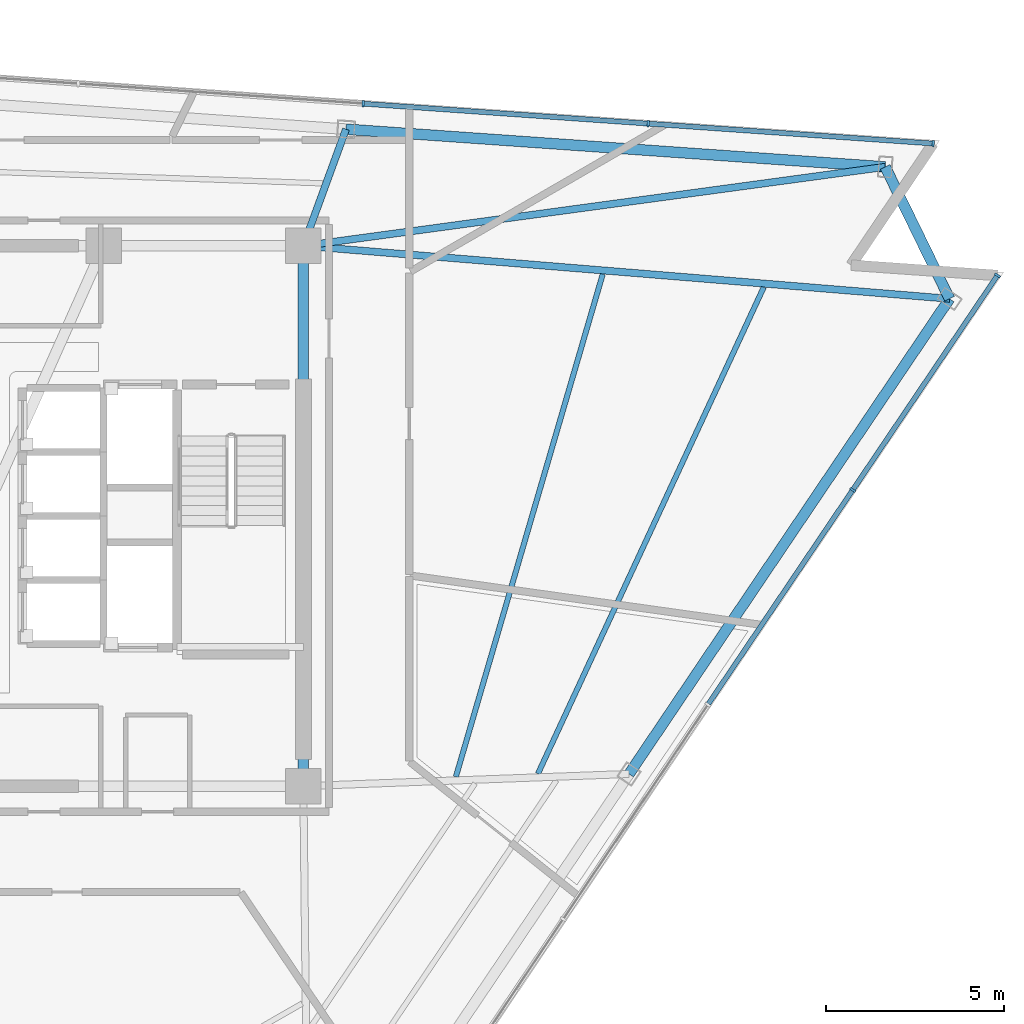
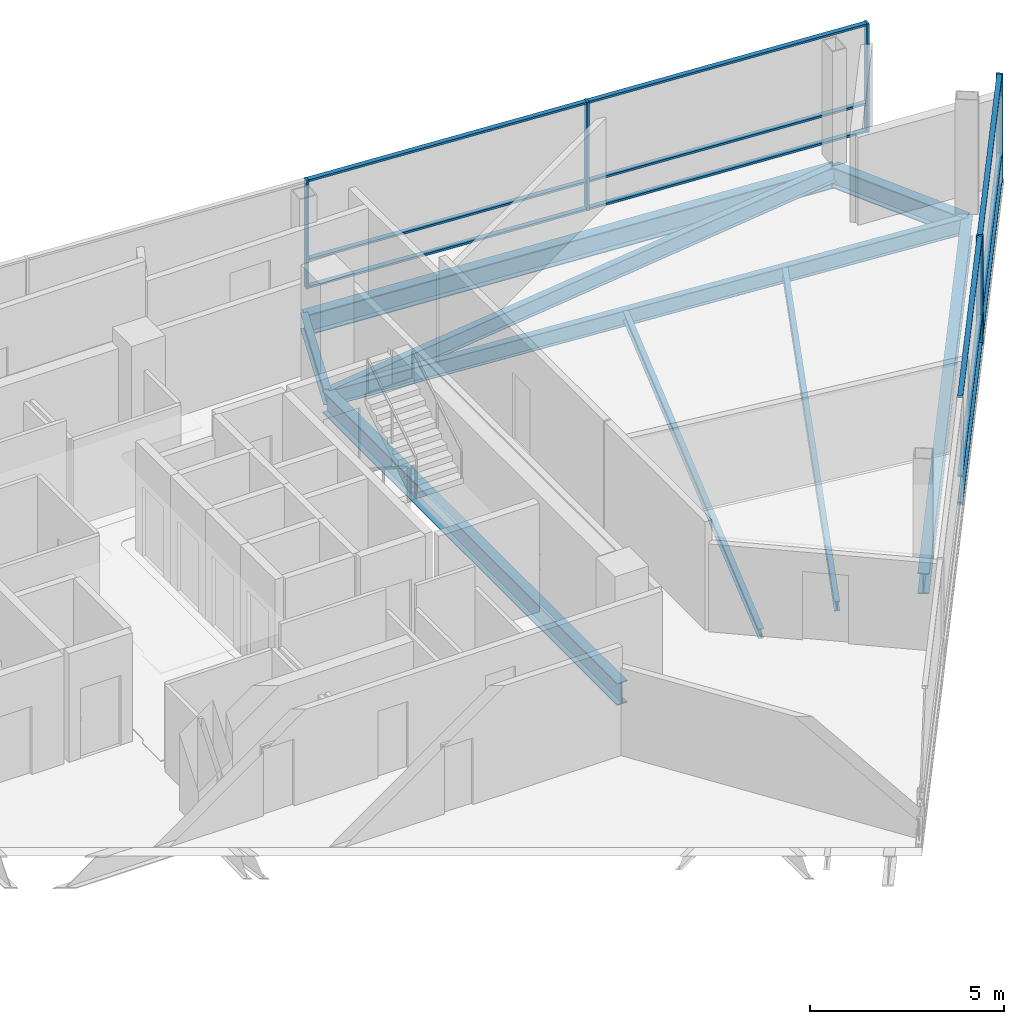
# One storey, part 7 of 13: 17 members, 9 beams, 2 elements without a shape of their own.
"""IFC4 building model written with IfcOpenShell, lengths in metres."""

from ifc_helpers import new_model, si_unit, direction, frame, origin, origin_2d, place, context, subcontext, project, spatial, rectangle, i_section, extrude, material, layer, layer_set, material_profile, profile_set, type_object, element, aggregate, save


model = new_model("IFC4")

# Units and contexts
model_context = context("Model", 3, precision=1e-05, world=origin(), true_north=direction((0.0, 1.0)))
body_context = subcontext(model_context, "Body", "Model", "MODEL_VIEW")
ifc_project = project(units=[si_unit("LENGTHUNIT", "METRE"), si_unit("AREAUNIT", "SQUARE_METRE"), si_unit("VOLUMEUNIT", "CUBIC_METRE"), si_unit("PLANEANGLEUNIT", "RADIAN"), si_unit("MASSUNIT", "GRAM", prefix="KILO")], contexts=[model_context])

# Site, building, storey
site_placement = place(None, origin())
site = spatial("IfcSite", under=ifc_project, at=site_placement, CompositionType="ELEMENT")
building_placement = place(site_placement, origin())
building = spatial("IfcBuilding", under=site, at=building_placement, Name="Tharavind Bronze Gate", CompositionType="ELEMENT")
storey_placement = place(building_placement, frame((0.0, 0.0, 234.25)))
storey = spatial("IfcBuildingStorey", under=building, at=storey_placement, Name="L60", CompositionType="ELEMENT", Elevation=234.25)

# Curtain wall, members
ifc_material_1 = material(Name="Anodised Bronze Aluminium", Category="aluminium")
ifc_layer = layer(ifc_material_1, 0.219970703125)
ifc_layer_set = layer_set([ifc_layer], Name="Anodised Bronze Aluminium")
curtain_wall_type = type_object("IfcCurtainWallType", Name="UNITISED CURTAIN WALL UPPER OFFICE", PredefinedType="USERDEFINED", material=ifc_layer_set)
curtain_wall_1_placement = place(storey_placement, origin())
curtain_wall_1 = element("IfcCurtainWall", 1, at=curtain_wall_1_placement, inside=storey, type_object=curtain_wall_type, Name="L60 unitised curtain wall upper office CW-L60-S2", ObjectType="UNITISED CURTAIN WALL", PredefinedType="USERDEFINED")
member_type_1 = type_object("IfcMemberType", Name="CURTAIN WALL BRONZE MULLION 65X180", PredefinedType="MULLION", material=ifc_material_1)
member_1_placement = place(storey_placement, frame((24.35791015625, 0.732177734375, 0.0), z_axis=(0.0, 0.0, 1.0), x_axis=(0.559192903471, 0.829037572555, 0.0)))
member_1 = element("IfcMember", 2, at=member_1_placement, type_object=member_type_1, Name="CW-L60-S2 mullion 7", PredefinedType="MULLION", context=body_context, shape_type="SweptSolid", body=[
    extrude(rectangle(XDim=0.06494140625, YDim=0.179931640625, at=origin_2d()), origin(), (0.0, 0.0, 1.0), 3.419921875),
])
member_2_placement = place(storey_placement, frame((28.430419921875, 6.77001953125, 0.0), z_axis=(0.0, 0.0, 1.0), x_axis=(0.559192903471, 0.829037572555, 0.0)))
member_2 = element("IfcMember", 3, at=member_2_placement, type_object=member_type_1, Name="CW-L60-S2 mullion 8", PredefinedType="MULLION", context=body_context, shape_type="SweptSolid", body=[
    extrude(rectangle(XDim=0.06494140625, YDim=0.179931640625, at=origin_2d()), origin(), (0.0, 0.0, 1.0), 3.419921875),
])

curtain_wall_2_placement = place(storey_placement, origin())
curtain_wall_2 = element("IfcCurtainWall", 4, at=curtain_wall_2_placement, inside=storey, type_object=curtain_wall_type, Name="L60 unitised curtain wall upper office CW-L60-S3", ObjectType="UNITISED CURTAIN WALL", PredefinedType="USERDEFINED")
member_3_placement = place(storey_placement, frame((26.620849609375, 10.480224609375, 0.0), z_axis=(0.0, 0.0, 1.0), x_axis=(-0.99756392851, 0.069758214822, 0.0)))
member_3 = element("IfcMember", 5, at=member_3_placement, type_object=member_type_1, Name="CW-L60-S3 mullion 1", PredefinedType="MULLION", context=body_context, shape_type="SweptSolid", body=[
    extrude(rectangle(XDim=0.06494140625, YDim=0.179931640625, at=origin_2d()), origin(), (0.0, 0.0, 1.0), 3.419921875),
])
member_4_placement = place(storey_placement, frame((18.602294921875, 11.041015625, 0.0), z_axis=(0.0, 0.0, 1.0), x_axis=(-0.99756392851, 0.069758214822, 0.0)))
member_4 = element("IfcMember", 6, at=member_4_placement, type_object=member_type_1, Name="CW-L60-S3 mullion 2", PredefinedType="MULLION", context=body_context, shape_type="SweptSolid", body=[
    extrude(rectangle(XDim=0.06494140625, YDim=0.179931640625, at=origin_2d()), origin(), (0.0, 0.0, 1.0), 3.419921875),
])
member_5_placement = place(storey_placement, frame((10.583984375, 11.6015625, 0.0), z_axis=(0.0, 0.0, 1.0), x_axis=(-0.99756392851, 0.069758214822, 0.0)))
member_5 = element("IfcMember", 7, at=member_5_placement, type_object=member_type_1, Name="CW-L60-S3 mullion 3", PredefinedType="MULLION", context=body_context, shape_type="SweptSolid", body=[
    extrude(rectangle(XDim=0.06494140625, YDim=0.179931640625, at=origin_2d()), origin(), (0.0, 0.0, 1.0), 3.419921875),
])

# Member
member_type_2 = type_object("IfcMemberType", Name="CURTAIN WALL BRONZE TRANSOM 65X140", PredefinedType="USERDEFINED", material=ifc_material_1)
member_6_placement = place(storey_placement, frame((22.321533203125, -2.28662109375, 0.0), z_axis=(0.0, 0.0, 1.0), x_axis=(0.559192903471, 0.829037572555, 0.0)))
member_6 = element("IfcMember", 8, at=member_6_placement, type_object=member_type_2, Name="CW-L60-S2 transom TB6", ObjectType="TRANSOM", PredefinedType="USERDEFINED", context=body_context, shape_type="SweptSolid", body=[
    extrude(rectangle(XDim=7.22998046875, YDim=0.139892578125, at=origin_2d()), origin(), (0.0, 0.0, 1.0), 0.06494140625),
])

member_7_placement = place(storey_placement, frame((22.321533203125, -2.28662109375, 0.867431640625), z_axis=(0.0, 0.0, 1.0), x_axis=(0.559192903471, 0.829037572555, 0.0)))
member_7 = element("IfcMember", 9, at=member_7_placement, type_object=member_type_2, Name="CW-L60-S2 transom TS6", ObjectType="TRANSOM", PredefinedType="USERDEFINED", context=body_context, shape_type="SweptSolid", body=[
    extrude(rectangle(XDim=7.22998046875, YDim=0.139892578125, at=origin_2d()), origin(), (0.0, 0.0, 1.0), 0.06494140625),
])

member_8_placement = place(storey_placement, frame((22.321533203125, -2.28662109375, 3.35498046875), z_axis=(0.0, 0.0, 1.0), x_axis=(0.559192903471, 0.829037572555, 0.0)))
member_8 = element("IfcMember", 10, at=member_8_placement, type_object=member_type_2, Name="CW-L60-S2 transom TT6", ObjectType="TRANSOM", PredefinedType="USERDEFINED", context=body_context, shape_type="SweptSolid", body=[
    extrude(rectangle(XDim=7.22998046875, YDim=0.139892578125, at=origin_2d()), origin(), (0.0, 0.0, 1.0), 0.06494140625),
])

member_9_placement = place(storey_placement, frame((26.39404296875, 3.751220703125, 0.0), z_axis=(0.0, 0.0, 1.0), x_axis=(0.559192903471, 0.829037572555, 0.0)))
member_9 = element("IfcMember", 11, at=member_9_placement, type_object=member_type_2, Name="CW-L60-S2 transom TB7", ObjectType="TRANSOM", PredefinedType="USERDEFINED", context=body_context, shape_type="SweptSolid", body=[
    extrude(rectangle(XDim=7.22998046875, YDim=0.139892578125, at=origin_2d()), origin(), (0.0, 0.0, 1.0), 0.06494140625),
])

member_10_placement = place(storey_placement, frame((26.39404296875, 3.751220703125, 0.867431640625), z_axis=(0.0, 0.0, 1.0), x_axis=(0.559192903471, 0.829037572555, 0.0)))
member_10 = element("IfcMember", 12, at=member_10_placement, type_object=member_type_2, Name="CW-L60-S2 transom TS7", ObjectType="TRANSOM", PredefinedType="USERDEFINED", context=body_context, shape_type="SweptSolid", body=[
    extrude(rectangle(XDim=7.22998046875, YDim=0.139892578125, at=origin_2d()), origin(), (0.0, 0.0, 1.0), 0.06494140625),
])

member_11_placement = place(storey_placement, frame((26.39404296875, 3.751220703125, 3.35498046875), z_axis=(0.0, 0.0, 1.0), x_axis=(0.559192903471, 0.829037572555, 0.0)))
member_11 = element("IfcMember", 13, at=member_11_placement, type_object=member_type_2, Name="CW-L60-S2 transom TT7", ObjectType="TRANSOM", PredefinedType="USERDEFINED", context=body_context, shape_type="SweptSolid", body=[
    extrude(rectangle(XDim=7.22998046875, YDim=0.139892578125, at=origin_2d()), origin(), (0.0, 0.0, 1.0), 0.06494140625),
])

aggregate(curtain_wall_1, [member_1, member_2, member_6, member_7, member_8, member_9, member_10, member_11])

member_12_placement = place(storey_placement, frame((22.611572265625, 10.760498046875, 0.0), z_axis=(0.0, 0.0, 1.0), x_axis=(-0.99756392851, 0.069758214822, 0.0)))
member_12 = element("IfcMember", 14, at=member_12_placement, type_object=member_type_2, Name="CW-L60-S3 transom TB1", ObjectType="TRANSOM", PredefinedType="USERDEFINED", context=body_context, shape_type="SweptSolid", body=[
    extrude(rectangle(XDim=7.985107421875, YDim=0.139892578125, at=origin_2d()), origin(), (0.0, 0.0, 1.0), 0.06494140625),
])

member_13_placement = place(storey_placement, frame((22.611572265625, 10.760498046875, 0.867431640625), z_axis=(0.0, 0.0, 1.0), x_axis=(-0.99756392851, 0.069758214822, 0.0)))
member_13 = element("IfcMember", 15, at=member_13_placement, type_object=member_type_2, Name="CW-L60-S3 transom TS1", ObjectType="TRANSOM", PredefinedType="USERDEFINED", context=body_context, shape_type="SweptSolid", body=[
    extrude(rectangle(XDim=7.985107421875, YDim=0.139892578125, at=origin_2d()), origin(), (0.0, 0.0, 1.0), 0.06494140625),
])

member_14_placement = place(storey_placement, frame((22.611572265625, 10.760498046875, 3.35498046875), z_axis=(0.0, 0.0, 1.0), x_axis=(-0.99756392851, 0.069758214822, 0.0)))
member_14 = element("IfcMember", 16, at=member_14_placement, type_object=member_type_2, Name="CW-L60-S3 transom TT1", ObjectType="TRANSOM", PredefinedType="USERDEFINED", context=body_context, shape_type="SweptSolid", body=[
    extrude(rectangle(XDim=7.985107421875, YDim=0.139892578125, at=origin_2d()), origin(), (0.0, 0.0, 1.0), 0.06494140625),
])

member_15_placement = place(storey_placement, frame((14.593017578125, 11.3212890625, 0.0), z_axis=(0.0, 0.0, 1.0), x_axis=(-0.99756392851, 0.069758214822, 0.0)))
member_15 = element("IfcMember", 17, at=member_15_placement, type_object=member_type_2, Name="CW-L60-S3 transom TB2", ObjectType="TRANSOM", PredefinedType="USERDEFINED", context=body_context, shape_type="SweptSolid", body=[
    extrude(rectangle(XDim=7.985107421875, YDim=0.139892578125, at=origin_2d()), origin(), (0.0, 0.0, 1.0), 0.06494140625),
])

member_16_placement = place(storey_placement, frame((14.593017578125, 11.3212890625, 0.867431640625), z_axis=(0.0, 0.0, 1.0), x_axis=(-0.99756392851, 0.069758214822, 0.0)))
member_16 = element("IfcMember", 18, at=member_16_placement, type_object=member_type_2, Name="CW-L60-S3 transom TS2", ObjectType="TRANSOM", PredefinedType="USERDEFINED", context=body_context, shape_type="SweptSolid", body=[
    extrude(rectangle(XDim=7.985107421875, YDim=0.139892578125, at=origin_2d()), origin(), (0.0, 0.0, 1.0), 0.06494140625),
])

member_17_placement = place(storey_placement, frame((14.593017578125, 11.3212890625, 3.35498046875), z_axis=(0.0, 0.0, 1.0), x_axis=(-0.99756392851, 0.069758214822, 0.0)))
member_17 = element("IfcMember", 19, at=member_17_placement, type_object=member_type_2, Name="CW-L60-S3 transom TT2", ObjectType="TRANSOM", PredefinedType="USERDEFINED", context=body_context, shape_type="SweptSolid", body=[
    extrude(rectangle(XDim=7.985107421875, YDim=0.139892578125, at=origin_2d()), origin(), (0.0, 0.0, 1.0), 0.06494140625),
])

aggregate(curtain_wall_2, [member_3, member_4, member_5, member_12, member_13, member_14, member_15, member_16, member_17])

# Beams
ifc_material_2 = material(Name="Steel S355", Category="steel")
ifc_material_profile_1 = material_profile(ifc_material_2, i_section(OverallWidth=0.300048828125, OverallDepth=0.64990234375, WebThickness=0.01611328125, FlangeThickness=0.031005859375, at=origin_2d()), Name="HE650B")
ifc_profile_set_1 = profile_set([ifc_material_profile_1], Name="Steel S355")
beam_type_1 = type_object("IfcBeamType", Name="PRIMARY GIRDER HE650B", PredefinedType="USERDEFINED", material=ifc_profile_set_1)
beam_1_placement = place(storey_placement, frame((18.06396484375, -7.2578125, -0.5048828125), z_axis=(0.559188128577, 0.829040793241, 0.0), x_axis=(-0.829040793241, 0.559188128577, 0.0)))
element("IfcBeam", 20, at=beam_1_placement, inside=storey, type_object=beam_type_1, Name="L60 primary girder he650b BM-L60-PRG07", ObjectType="GIRDER", PredefinedType="USERDEFINED", context=body_context, shape_type="SweptSolid", body=[
    extrude(i_section(OverallWidth=0.300048828125, OverallDepth=0.64990234375, WebThickness=0.01611328125, FlangeThickness=0.031005859375, at=origin_2d()), origin(), (0.0, 0.0, 1.0), 16.12744140625),
])
beam_2_placement = place(storey_placement, frame((27.082275390625, 6.112548828125, -0.5048828125), z_axis=(-0.438367699713, 0.898795727542, 0.0), x_axis=(-0.898795727542, -0.438367699713, 0.0)))
element("IfcBeam", 21, at=beam_2_placement, inside=storey, type_object=beam_type_1, Name="L60 primary girder he650b BM-L60-PRG08", ObjectType="GIRDER", PredefinedType="USERDEFINED", context=body_context, shape_type="SweptSolid", body=[
    extrude(i_section(OverallWidth=0.300048828125, OverallDepth=0.64990234375, WebThickness=0.01611328125, FlangeThickness=0.031005859375, at=origin_2d()), origin(), (0.0, 0.0, 1.0), 4.1279296875),
])
beam_3_placement = place(storey_placement, frame((25.272705078125, 9.82275390625, -0.5048828125), z_axis=(-0.997563917828, 0.069758367582, 0.0), x_axis=(-0.069758367582, -0.997563917828, 0.0)))
element("IfcBeam", 22, at=beam_3_placement, inside=storey, type_object=beam_type_1, Name="L60 primary girder he650b BM-L60-PRG09", ObjectType="GIRDER", PredefinedType="USERDEFINED", context=body_context, shape_type="SweptSolid", body=[
    extrude(i_section(OverallWidth=0.300048828125, OverallDepth=0.64990234375, WebThickness=0.01611328125, FlangeThickness=0.031005859375, at=origin_2d()), origin(), (0.0, 0.0, 1.0), 15.210205078125),
])
ifc_material_profile_2 = material_profile(ifc_material_2, i_section(OverallWidth=0.199951171875, OverallDepth=0.5, WebThickness=0.01025390625, FlangeThickness=0.01611328125, at=origin_2d()), Name="IPE500")
ifc_profile_set_2 = profile_set([ifc_material_profile_2], Name="Steel S355")
beam_type_2 = type_object("IfcBeamType", Name="PRIMARY GIRDER IPE500", PredefinedType="USERDEFINED", material=ifc_profile_set_2)
beam_4_placement = place(storey_placement, frame((27.082275390625, 6.112548828125, -0.429931640625), z_axis=(-0.996670048992, 0.081540256576, 0.0), x_axis=(-0.081540256576, -0.996670048992, 0.0)))
element("IfcBeam", 23, at=beam_4_placement, inside=storey, type_object=beam_type_2, Name="L60 primary girder ipe500 BM-L60-RAD08", ObjectType="GIRDER", PredefinedType="USERDEFINED", context=body_context, shape_type="SweptSolid", body=[
    extrude(i_section(OverallWidth=0.199951171875, OverallDepth=0.5, WebThickness=0.01025390625, FlangeThickness=0.01611328125, at=origin_2d()), origin(), (0.0, 0.0, 1.0), 18.2431640625),
])
beam_5_placement = place(storey_placement, frame((25.272705078125, 9.82275390625, -0.429931640625), z_axis=(-0.990911002209, -0.134519090469, 0.0), x_axis=(0.134519090469, -0.990911002209, 0.0)))
element("IfcBeam", 24, at=beam_5_placement, inside=storey, type_object=beam_type_2, Name="L60 primary girder ipe500 BM-L60-RAD09", ObjectType="GIRDER", PredefinedType="USERDEFINED", context=body_context, shape_type="SweptSolid", body=[
    extrude(i_section(OverallWidth=0.199951171875, OverallDepth=0.5, WebThickness=0.01025390625, FlangeThickness=0.01611328125, at=origin_2d()), origin(), (0.0, 0.0, 1.0), 16.52294921875),
])
beam_6_placement = place(storey_placement, frame((10.099609375, 10.8837890625, -0.429931640625), z_axis=(-0.343166887309, -0.939274447355, 0.0), x_axis=(0.939274447355, -0.343166887309, 0.0)))
element("IfcBeam", 25, at=beam_6_placement, inside=storey, type_object=beam_type_2, Name="L60 primary girder ipe500 BM-L60-RAD10", ObjectType="GIRDER", PredefinedType="USERDEFINED", context=body_context, shape_type="SweptSolid", body=[
    extrude(i_section(OverallWidth=0.199951171875, OverallDepth=0.5, WebThickness=0.01025390625, FlangeThickness=0.01611328125, at=origin_2d()), origin(), (0.0, 0.0, 1.0), 3.49609375),
])
ifc_material_profile_3 = material_profile(ifc_material_2, i_section(OverallWidth=0.300048828125, OverallDepth=0.699951171875, WebThickness=0.01708984375, FlangeThickness=0.031982421875, at=origin_2d()), Name="HE700B")
ifc_profile_set_3 = profile_set([ifc_material_profile_3], Name="Steel S355")
beam_type_3 = type_object("IfcBeamType", Name="RING GIRDER HE700B", PredefinedType="USERDEFINED", material=ifc_profile_set_3)
beam_7_placement = place(storey_placement, frame((8.89990234375, -7.60009765625, -0.530029296875), z_axis=(0.0, 1.0, 0.0), x_axis=(-1.0, 0.0, 0.0)))
element("IfcBeam", 26, at=beam_7_placement, inside=storey, type_object=beam_type_3, Name="L60 ring girder he700b BM-L60-CR3", ObjectType="GIRDER", PredefinedType="USERDEFINED", context=body_context, shape_type="SweptSolid", body=[
    extrude(i_section(OverallWidth=0.300048828125, OverallDepth=0.699951171875, WebThickness=0.01708984375, FlangeThickness=0.031982421875, at=origin_2d()), origin(), (0.0, 0.0, 1.0), 15.2001953125),
])
ifc_material_profile_4 = material_profile(ifc_material_2, i_section(OverallWidth=0.14990234375, OverallDepth=0.300048828125, WebThickness=0.007080078125, FlangeThickness=0.0107421875, at=origin_2d()), Name="IPE300")
ifc_profile_set_4 = profile_set([ifc_material_profile_4], Name="Steel S355")
beam_type_4 = type_object("IfcBeamType", Name="SECONDARY FLOOR JOIST IPE300", PredefinedType="JOIST", material=ifc_profile_set_4)
beam_8_placement = place(storey_placement, frame((13.19189453125, -7.335693359375, -0.330078125), z_axis=(0.280517905759, 0.959848792544, 0.0), x_axis=(-0.959848792544, 0.280517905759, 0.0)))
element("IfcBeam", 27, at=beam_8_placement, inside=storey, type_object=beam_type_4, Name="L60 secondary floor joist ipe300 BM-L60-JSTA07", PredefinedType="JOIST", context=body_context, shape_type="SweptSolid", body=[
    extrude(i_section(OverallWidth=0.14990234375, OverallDepth=0.300048828125, WebThickness=0.007080078125, FlangeThickness=0.0107421875, at=origin_2d()), origin(), (0.0, 0.0, 1.0), 14.733642578125),
])
beam_9_placement = place(storey_placement, frame((15.501220703125, -7.249755859375, -0.330078125), z_axis=(0.42102525581, 0.907048914872, 0.0), x_axis=(-0.907048914872, 0.42102525581, 0.0)))
element("IfcBeam", 28, at=beam_9_placement, inside=storey, type_object=beam_type_4, Name="L60 secondary floor joist ipe300 BM-L60-JSTB07", PredefinedType="JOIST", context=body_context, shape_type="SweptSolid", body=[
    extrude(i_section(OverallWidth=0.14990234375, OverallDepth=0.300048828125, WebThickness=0.007080078125, FlangeThickness=0.0107421875, at=origin_2d()), origin(), (0.0, 0.0, 1.0), 15.08837890625),
])

save(model, "model.ifc")
